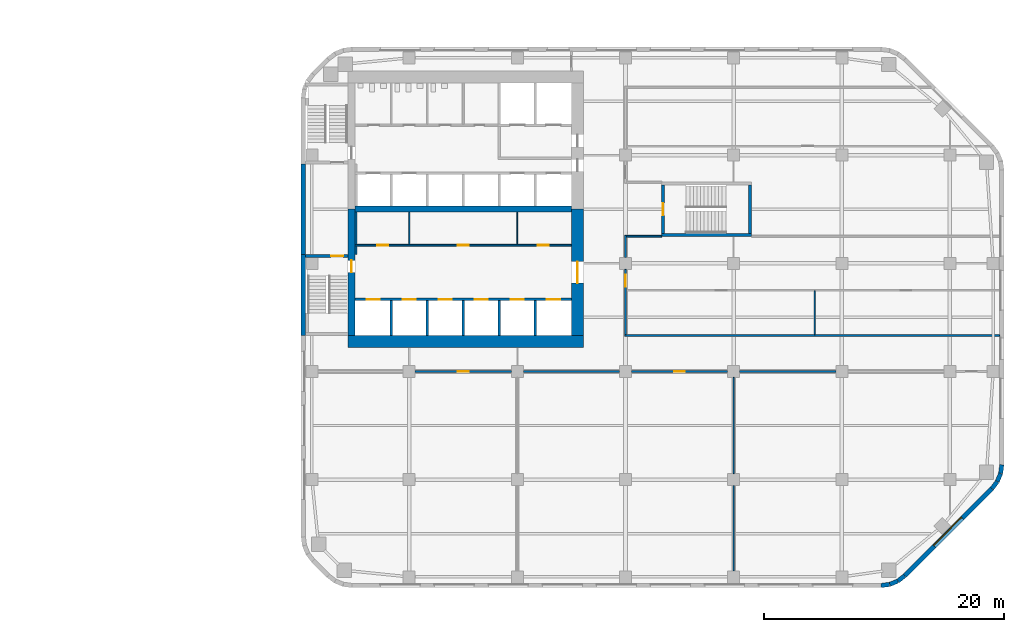
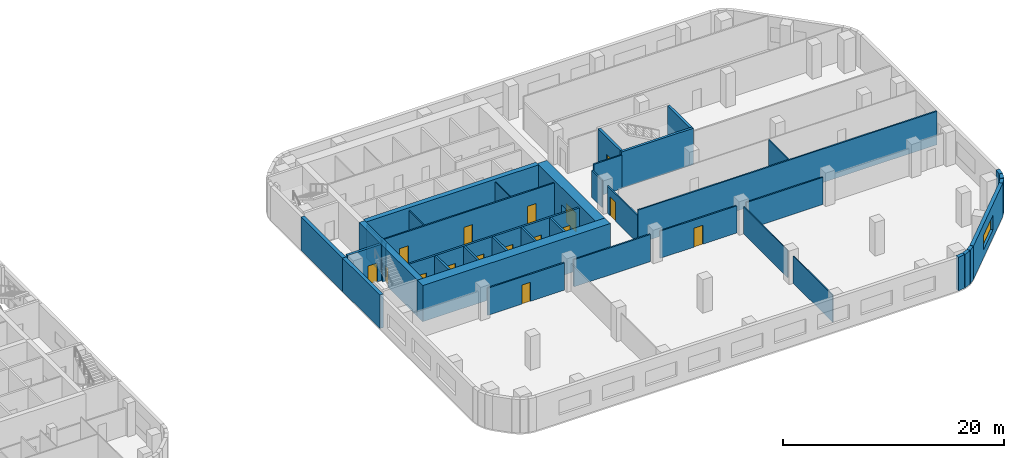
# One storey, part 9 of 15: 39 walls, 16 doors, 1 window, 17 openings.
"""IFC4 building model written with IfcOpenShell, lengths in metres."""

from ifc_helpers import new_model, si_unit, direction, frame, frame_2d, origin, place, context, subcontext, project, spatial, rectangle, extrude, material, layer, layer_set, type_object, element, fill, save


model = new_model("IFC4")

# Units and contexts
model_context = context("Model", 3, precision=1e-05, world=origin(), true_north=direction((0.0, 1.0)))
body_context = subcontext(model_context, "Body", "Model", "MODEL_VIEW")
ifc_project = project(units=[si_unit("LENGTHUNIT", "METRE"), si_unit("AREAUNIT", "SQUARE_METRE"), si_unit("VOLUMEUNIT", "CUBIC_METRE"), si_unit("PLANEANGLEUNIT", "RADIAN"), si_unit("MASSUNIT", "GRAM", prefix="KILO")], contexts=[model_context])

# Site, building, storey
site_placement = place(None, origin())
site = spatial("IfcSite", under=ifc_project, at=site_placement, CompositionType="ELEMENT")
building_placement = place(site_placement, origin())
building = spatial("IfcBuilding", under=site, at=building_placement, Name="Cinnabar Reach Civic Tower", CompositionType="ELEMENT")
storey_placement = place(building_placement, frame((0.0, 0.0, 91.0)))
storey = spatial("IfcBuildingStorey", under=building, at=storey_placement, Name="L21", CompositionType="ELEMENT", Elevation=91.0)

# Walls
ifc_material_1 = material(Name="Facing brick with insulated backing", Category="masonry")
ifc_layer_1 = layer(ifc_material_1, 0.36)
ifc_layer_set_1 = layer_set([ifc_layer_1], Name="Brick corner wall")
wall_type_1 = type_object("IfcWallType", Name="Brick corner wall", PredefinedType="STANDARD", material=ifc_layer_set_1)
for number, where, z_axis, x_axis, name in (
    (1, (48.2686, 0.183, 0.0), (0.0, 0.0, 1.0), (0.99144092581, 0.13055608231, 0.0), "Brick corner wall"),
    (2, (48.9973, 0.2819, 0.0), (0.0, 0.0, 1.0), (0.923871547278, 0.382702709855, 0.0), "Brick corner wall"),
):
    element("IfcWall", number, at=place(storey_placement, frame(where, z_axis=z_axis, x_axis=x_axis)), inside=storey, type_object=wall_type_1, Name=name, PredefinedType="STANDARD", context=body_context, shape_type="SweptSolid", body=[
        extrude(rectangle(XDim=0.7131, YDim=0.36, at=frame_2d((0.3565, 0.0))), origin(), (0.0, 0.0, 1.0), 3.7),
    ])
for number, where, z_axis, x_axis, name in (
    (3, (49.6755, 0.566, 0.0), (0.0, 0.0, 1.0), (0.793321924995, 0.608802368033, 0.0), "Brick corner wall"),
    (4, (57.4998, 8.2587, 0.0), (0.0, 0.0, 1.0), (0.608802368033, 0.793321924995, 0.0), "Brick corner wall"),
):
    element("IfcWall", number, at=place(storey_placement, frame(where, z_axis=z_axis, x_axis=x_axis)), inside=storey, type_object=wall_type_1, Name=name, PredefinedType="STANDARD", context=body_context, shape_type="SweptSolid", body=[
        extrude(rectangle(XDim=0.7132, YDim=0.36, at=frame_2d((0.3566, 0.0))), origin(), (0.0, 0.0, 1.0), 3.7),
    ])
for number, where, z_axis, x_axis, name in (
    (5, (57.9452, 8.8439, 0.0), (0.0, 0.0, 1.0), (0.382702709855, 0.923871547278, 0.0), "Brick corner wall"),
    (6, (58.2239, 9.5244, 0.0), (0.0, 0.0, 1.0), (0.13055608231, 0.99144092581, 0.0), "Brick corner wall"),
):
    element("IfcWall", number, at=place(storey_placement, frame(where, z_axis=z_axis, x_axis=x_axis)), inside=storey, type_object=wall_type_1, Name=name, PredefinedType="STANDARD", context=body_context, shape_type="SweptSolid", body=[
        extrude(rectangle(XDim=0.7131, YDim=0.36, at=frame_2d((0.3565, 0.0))), origin(), (0.0, 0.0, 1.0), 3.7),
    ])

# Wall, opening, window
ifc_layer_2 = layer(ifc_material_1, 0.36)
ifc_layer_set_2 = layer_set([ifc_layer_2], Name="Brick pier and spandrel wall")
wall_type_2 = type_object("IfcWallType", Name="Brick pier and spandrel wall", PredefinedType="STANDARD", material=ifc_layer_set_2)
wall_1_placement = place(storey_placement, frame((50.2514, 1.006, 0.0), z_axis=(0.0, 0.0, 1.0), x_axis=(0.707106781187, 0.707106781187, 0.0)))
wall_1 = element("IfcWall", 7, at=wall_1_placement, inside=storey, type_object=wall_type_2, Name="Brick facade wall", PredefinedType="STANDARD", context=body_context, shape_type="SweptSolid", body=[
    extrude(rectangle(XDim=10.2426, YDim=0.36, at=frame_2d((5.1213, 0.0))), origin(), (0.0, 0.0, 1.0), 3.7),
])
opening_1_placement = place(wall_1_placement, frame((3.4713, 0.0, 0.9)))
opening_1 = element("IfcOpeningElement", 8, at=opening_1_placement, cuts=wall_1, Name="Opening W1438", PredefinedType="OPENING", context=body_context, shape_type="SweptSolid", body=[
    extrude(rectangle(XDim=3.3, YDim=1.6, at=frame_2d((1.65, 0.8))), frame((0.0, 0.19, 0.0), z_axis=(0.0, -1.0, 0.0), x_axis=(1.0, 0.0, 0.0)), (0.0, 0.0, 1.0), 0.38),
])
ifc_material_2 = material(Name="Clear double glazing in aluminium frame", Category="aluminium")
window_type = type_object("IfcWindowType", Name="Deep-set window A", PartitioningType="SINGLE_PANEL", PredefinedType="WINDOW", material=ifc_material_2)
window_placement = place(opening_1_placement, origin())
window = element("IfcWindow", 9, at=window_placement, inside=storey, type_object=window_type, Name="Window southeast face", OverallHeight=1.6, OverallWidth=3.3, PartitioningType="SINGLE_PANEL", PredefinedType="WINDOW", context=body_context, shape_type="SweptSolid", body=[
    extrude(rectangle(XDim=3.3, YDim=1.6, at=frame_2d((1.65, 0.8))), frame((0.0, 0.13, 0.0), z_axis=(0.0, -1.0, 0.0), x_axis=(1.0, 0.0, 0.0)), (0.0, 0.0, 1.0), 0.06),
])
fill(opening_1, window)

# Walls
wall_2_placement = place(storey_placement, frame((0.18, 35.25, 0.0), z_axis=(0.0, 0.0, 1.0), x_axis=(0.0, -1.0, 0.0)))
element("IfcWall", 10, at=wall_2_placement, inside=storey, type_object=wall_type_2, Name="Brick facade wall", PredefinedType="STANDARD", context=body_context, shape_type="SweptSolid", body=[
    extrude(rectangle(XDim=7.5, YDim=0.36, at=frame_2d((3.75, 0.0))), origin(), (0.0, 0.0, 1.0), 3.7),
])
wall_3_placement = place(storey_placement, frame((0.18, 27.75, 0.0), z_axis=(0.0, 0.0, 1.0), x_axis=(0.0, -1.0, 0.0)))
element("IfcWall", 11, at=wall_3_placement, inside=storey, type_object=wall_type_2, Name="Brick facade wall", PredefinedType="STANDARD", context=body_context, shape_type="SweptSolid", body=[
    extrude(rectangle(XDim=6.75, YDim=0.36, at=frame_2d((3.375, 0.0))), origin(), (0.0, 0.0, 1.0), 3.7),
])
ifc_material_3 = material(Name="Concrete C70", Category="concrete")
ifc_layer_3 = layer(ifc_material_3, 1.0)
ifc_layer_set_3 = layer_set([ifc_layer_3], Name="Core wall 1000 EI 180")
wall_type_3 = type_object("IfcWallType", Name="Core wall 1000 EI 180", PredefinedType="SOLIDWALL", material=ifc_layer_set_3)
wall_4_placement = place(storey_placement, frame((3.9, 20.5, 0.0), z_axis=(0.0, 0.0, 1.0), x_axis=(1.0, 0.0, 0.0)))
element("IfcWall", 12, at=wall_4_placement, inside=storey, type_object=wall_type_3, Name="Core wall T1 L21 S", PredefinedType="SOLIDWALL", context=body_context, shape_type="SweptSolid", body=[
    extrude(rectangle(XDim=19.6, YDim=1.0, at=frame_2d((9.8, 0.0))), origin(), (0.0, 0.0, 1.0), 4.0),
])

# Wall, opening, door
wall_5_placement = place(storey_placement, frame((23.0, 21.0, 0.0), z_axis=(0.0, 0.0, 1.0), x_axis=(0.0, 1.0, 0.0)))
wall_5 = element("IfcWall", 13, at=wall_5_placement, inside=storey, type_object=wall_type_3, Name="Core wall T1 L21 E", PredefinedType="SOLIDWALL", context=body_context, shape_type="SweptSolid", body=[
    extrude(rectangle(XDim=10.5, YDim=1.0, at=frame_2d((5.25, 0.0))), origin(), (0.0, 0.0, 1.0), 4.0),
])
opening_2_placement = place(wall_5_placement, frame((4.35, 0.0, 0.0)))
opening_2 = element("IfcOpeningElement", 14, at=opening_2_placement, cuts=wall_5, Name="Opening D3857", PredefinedType="OPENING", context=body_context, shape_type="SweptSolid", body=[
    extrude(rectangle(XDim=1.8, YDim=2.1, at=frame_2d((0.9, 1.05))), frame((0.0, 0.51, 0.0), z_axis=(0.0, -1.0, 0.0), x_axis=(1.0, 0.0, 0.0)), (0.0, 0.0, 1.0), 1.02),
])
ifc_material_4 = material(Name="Timber door leaf in steel frame", Category="steel")
door_type_1 = type_object("IfcDoorType", Name="Double swing door 1800 x 2100 T1", OperationType="DOUBLE_DOOR_DOUBLE_SWING", PredefinedType="DOOR", material=ifc_material_4)
door_1_placement = place(opening_2_placement, origin())
door_1 = element("IfcDoor", 15, at=door_1_placement, inside=storey, type_object=door_type_1, Name="Door D3857", OperationType="DOUBLE_DOOR_DOUBLE_SWING", OverallHeight=2.1, OverallWidth=1.8, PredefinedType="DOOR", context=body_context, shape_type="SweptSolid", body=[
    extrude(rectangle(XDim=1.8, YDim=2.1, at=frame_2d((0.9, 1.05))), frame((0.0, 0.025, 0.0), z_axis=(0.0, -1.0, 0.0), x_axis=(1.0, 0.0, 0.0)), (0.0, 0.0, 1.0), 0.05),
])
fill(opening_2, door_1)

# Wall
ifc_material_5 = material(Name="Concrete C60", Category="concrete")
ifc_layer_4 = layer(ifc_material_5, 0.5)
ifc_layer_set_4 = layer_set([ifc_layer_4], Name="Core wall 500 EI 180")
wall_type_4 = type_object("IfcWallType", Name="Core wall 500 EI 180", PredefinedType="SOLIDWALL", material=ifc_layer_set_4)
wall_6_placement = place(storey_placement, frame((4.5, 31.5, 0.0), z_axis=(0.0, 0.0, 1.0), x_axis=(1.0, 0.0, 0.0)))
element("IfcWall", 16, at=wall_6_placement, inside=storey, type_object=wall_type_4, Name="Core spine wall T1 L21", PredefinedType="SOLIDWALL", context=body_context, shape_type="SweptSolid", body=[
    extrude(rectangle(XDim=18.0, YDim=0.5, at=frame_2d((9.0, 0.0))), origin(), (0.0, 0.0, 1.0), 4.0),
])

# Wall, opening, door
ifc_layer_5 = layer(ifc_material_3, 0.6)
ifc_layer_set_5 = layer_set([ifc_layer_5], Name="Core wall 600 EI 180")
wall_type_5 = type_object("IfcWallType", Name="Core wall 600 EI 180", PredefinedType="SOLIDWALL", material=ifc_layer_set_5)
wall_7_placement = place(storey_placement, frame((4.2, 31.5, 0.0), z_axis=(0.0, 0.0, 1.0), x_axis=(0.0, -1.0, 0.0)))
wall_7 = element("IfcWall", 17, at=wall_7_placement, inside=storey, type_object=wall_type_5, Name="Core wall T1 L21 W2", PredefinedType="SOLIDWALL", context=body_context, shape_type="SweptSolid", body=[
    extrude(rectangle(XDim=10.5, YDim=0.6, at=frame_2d((5.25, 0.0))), origin(), (0.0, 0.0, 1.0), 4.0),
])
opening_3_placement = place(wall_7_placement, frame((4.25, 0.0, 0.0)))
opening_3 = element("IfcOpeningElement", 18, at=opening_3_placement, cuts=wall_7, Name="Opening D3841", PredefinedType="OPENING", context=body_context, shape_type="SweptSolid", body=[
    extrude(rectangle(XDim=1.0, YDim=2.1, at=frame_2d((0.5, 1.05))), frame((0.0, 0.31, 0.0), z_axis=(0.0, -1.0, 0.0), x_axis=(1.0, 0.0, 0.0)), (0.0, 0.0, 1.0), 0.62),
])
door_type_2 = type_object("IfcDoorType", Name="Stair door 1000 x 2100 T1", OperationType="SINGLE_SWING_LEFT", PredefinedType="DOOR", material=ifc_material_4)
door_2_placement = place(opening_3_placement, frame((1.0, 0.0, 0.0), z_axis=(0.0, 0.0, 1.0), x_axis=(-1.0, 0.0, 0.0)))
door_2 = element("IfcDoor", 19, at=door_2_placement, inside=storey, type_object=door_type_2, Name="Door D3841", OperationType="SINGLE_SWING_RIGHT", OverallHeight=2.1, OverallWidth=1.0, PredefinedType="DOOR", context=body_context, shape_type="SweptSolid", body=[
    extrude(rectangle(XDim=1.0, YDim=2.1, at=frame_2d((0.5, 1.05))), frame((0.0, 0.025, 0.0), z_axis=(0.0, -1.0, 0.0), x_axis=(1.0, 0.0, 0.0)), (0.0, 0.0, 1.0), 0.05),
])
fill(opening_3, door_2)

# Wall
ifc_material_6 = material(Name="Gypsum board on steel studs, double layer", Category="steel")
ifc_layer_6 = layer(ifc_material_6, 0.15)
ifc_layer_set_6 = layer_set([ifc_layer_6], Name="Corridor wall 150 T1")
wall_type_6 = type_object("IfcWallType", Name="Corridor wall 150 T1", PredefinedType="PARTITIONING", material=ifc_layer_set_6)
wall_8_placement = place(storey_placement, frame((36.5, 18.0, 0.0), z_axis=(0.0, 0.0, 1.0), x_axis=(1.0, 0.0, 0.0)))
element("IfcWall", 20, at=wall_8_placement, inside=storey, type_object=wall_type_6, Name="Corridor wall 21", PredefinedType="PARTITIONING", context=body_context, shape_type="SweptSolid", body=[
    extrude(rectangle(XDim=8.0, YDim=0.15, at=frame_2d((4.0, 0.0))), origin(), (0.0, 0.0, 1.0), 3.0),
])

# Wall, opening, door
wall_9_placement = place(storey_placement, frame((27.5, 18.0, 0.0), z_axis=(0.0, 0.0, 1.0), x_axis=(1.0, 0.0, 0.0)))
wall_9 = element("IfcWall", 21, at=wall_9_placement, inside=storey, type_object=wall_type_6, Name="Corridor wall 22", PredefinedType="PARTITIONING", context=body_context, shape_type="SweptSolid", body=[
    extrude(rectangle(XDim=8.0, YDim=0.15, at=frame_2d((4.0, 0.0))), origin(), (0.0, 0.0, 1.0), 3.0),
])
opening_4_placement = place(wall_9_placement, frame((3.55, 0.0, 0.0)))
opening_4 = element("IfcOpeningElement", 22, at=opening_4_placement, cuts=wall_9, Name="Opening D3874", PredefinedType="OPENING", context=body_context, shape_type="SweptSolid", body=[
    extrude(rectangle(XDim=0.9, YDim=2.1, at=frame_2d((0.45, 1.05))), frame((0.0, 0.085, 0.0), z_axis=(0.0, -1.0, 0.0), x_axis=(1.0, 0.0, 0.0)), (0.0, 0.0, 1.0), 0.17),
])
door_type_3 = type_object("IfcDoorType", Name="Single swing door 900 x 2100 corridor T1", OperationType="SINGLE_SWING_LEFT", PredefinedType="DOOR", material=ifc_material_4)
door_3_placement = place(opening_4_placement, frame((0.9, 0.0, 0.0), z_axis=(0.0, 0.0, 1.0), x_axis=(-1.0, 0.0, 0.0)))
door_3 = element("IfcDoor", 23, at=door_3_placement, inside=storey, type_object=door_type_3, Name="Door D3874", OperationType="SINGLE_SWING_RIGHT", OverallHeight=2.1, OverallWidth=0.9, PredefinedType="DOOR", context=body_context, shape_type="SweptSolid", body=[
    extrude(rectangle(XDim=0.9, YDim=2.1, at=frame_2d((0.45, 1.05))), frame((0.0, 0.025, 0.0), z_axis=(0.0, -1.0, 0.0), x_axis=(1.0, 0.0, 0.0)), (0.0, 0.0, 1.0), 0.05),
])
fill(opening_4, door_3)

# Wall
wall_10_placement = place(storey_placement, frame((18.5, 18.0, 0.0), z_axis=(0.0, 0.0, 1.0), x_axis=(1.0, 0.0, 0.0)))
element("IfcWall", 24, at=wall_10_placement, inside=storey, type_object=wall_type_6, Name="Corridor wall 23", PredefinedType="PARTITIONING", context=body_context, shape_type="SweptSolid", body=[
    extrude(rectangle(XDim=8.0, YDim=0.15, at=frame_2d((4.0, 0.0))), origin(), (0.0, 0.0, 1.0), 3.0),
])

# Wall, opening, door
wall_11_placement = place(storey_placement, frame((9.5, 18.0, 0.0), z_axis=(0.0, 0.0, 1.0), x_axis=(1.0, 0.0, 0.0)))
wall_11 = element("IfcWall", 25, at=wall_11_placement, inside=storey, type_object=wall_type_6, Name="Corridor wall 24", PredefinedType="PARTITIONING", context=body_context, shape_type="SweptSolid", body=[
    extrude(rectangle(XDim=8.0, YDim=0.15, at=frame_2d((4.0, 0.0))), origin(), (0.0, 0.0, 1.0), 3.0),
])
opening_5_placement = place(wall_11_placement, frame((3.55, 0.0, 0.0)))
opening_5 = element("IfcOpeningElement", 26, at=opening_5_placement, cuts=wall_11, Name="Opening D3873", PredefinedType="OPENING", context=body_context, shape_type="SweptSolid", body=[
    extrude(rectangle(XDim=0.9, YDim=2.1, at=frame_2d((0.45, 1.05))), frame((0.0, 0.085, 0.0), z_axis=(0.0, -1.0, 0.0), x_axis=(1.0, 0.0, 0.0)), (0.0, 0.0, 1.0), 0.17),
])
door_4_placement = place(opening_5_placement, frame((0.9, 0.0, 0.0), z_axis=(0.0, 0.0, 1.0), x_axis=(-1.0, 0.0, 0.0)))
door_4 = element("IfcDoor", 27, at=door_4_placement, inside=storey, type_object=door_type_3, Name="Door D3873", OperationType="SINGLE_SWING_LEFT", OverallHeight=2.1, OverallWidth=0.9, PredefinedType="DOOR", context=body_context, shape_type="SweptSolid", body=[
    extrude(rectangle(XDim=0.9, YDim=2.1, at=frame_2d((0.45, 1.05))), frame((0.0, 0.025, 0.0), z_axis=(0.0, -1.0, 0.0), x_axis=(1.0, 0.0, 0.0)), (0.0, 0.0, 1.0), 0.05),
])
fill(opening_5, door_4)

# Wall
wall_12_placement = place(storey_placement, frame((26.925, 21.0, 0.0), z_axis=(0.0, 0.0, 1.0), x_axis=(1.0, 0.0, 0.0)))
element("IfcWall", 28, at=wall_12_placement, inside=storey, type_object=wall_type_6, Name="Corridor wall 26", PredefinedType="PARTITIONING", context=body_context, shape_type="SweptSolid", body=[
    extrude(rectangle(XDim=31.215, YDim=0.15, at=frame_2d((15.6075, 0.0))), origin(), (0.0, 0.0, 1.0), 3.7),
])

# Wall, openings, doors
wall_13_placement = place(storey_placement, frame((4.5, 28.5, 0.0), z_axis=(0.0, 0.0, 1.0), x_axis=(1.0, 0.0, 0.0)))
wall_13 = element("IfcWall", 29, at=wall_13_placement, inside=storey, type_object=wall_type_6, Name="Corridor wall 28", PredefinedType="PARTITIONING", context=body_context, shape_type="SweptSolid", body=[
    extrude(rectangle(XDim=18.0, YDim=0.15, at=frame_2d((9.0, 0.0))), origin(), (0.0, 0.0, 1.0), 3.7),
])
opening_6_placement = place(wall_13_placement, frame((1.85, 0.0, 0.0)))
opening_6 = element("IfcOpeningElement", 30, at=opening_6_placement, cuts=wall_13, Name="Opening D3861", PredefinedType="OPENING", context=body_context, shape_type="SweptSolid", body=[
    extrude(rectangle(XDim=0.9, YDim=2.1, at=frame_2d((0.45, 1.05))), frame((0.0, 0.085, 0.0), z_axis=(0.0, -1.0, 0.0), x_axis=(1.0, 0.0, 0.0)), (0.0, 0.0, 1.0), 0.17),
])
opening_7_placement = place(wall_13_placement, frame((8.55, 0.0, 0.0)))
opening_7 = element("IfcOpeningElement", 31, at=opening_7_placement, cuts=wall_13, Name="Opening D3862", PredefinedType="OPENING", context=body_context, shape_type="SweptSolid", body=[
    extrude(rectangle(XDim=0.9, YDim=2.1, at=frame_2d((0.45, 1.05))), frame((0.0, 0.085, 0.0), z_axis=(0.0, -1.0, 0.0), x_axis=(1.0, 0.0, 0.0)), (0.0, 0.0, 1.0), 0.17),
])
opening_8_placement = place(wall_13_placement, frame((15.2, 0.0, 0.0)))
opening_8 = element("IfcOpeningElement", 32, at=opening_8_placement, cuts=wall_13, Name="Opening D3863", PredefinedType="OPENING", context=body_context, shape_type="SweptSolid", body=[
    extrude(rectangle(XDim=0.9, YDim=2.1, at=frame_2d((0.45, 1.05))), frame((0.0, 0.085, 0.0), z_axis=(0.0, -1.0, 0.0), x_axis=(1.0, 0.0, 0.0)), (0.0, 0.0, 1.0), 0.17),
])
door_5_placement = place(opening_6_placement, origin())
door_5 = element("IfcDoor", 33, at=door_5_placement, inside=storey, type_object=door_type_3, Name="Door D3861", OperationType="SINGLE_SWING_RIGHT", OverallHeight=2.1, OverallWidth=0.9, PredefinedType="DOOR", context=body_context, shape_type="SweptSolid", body=[
    extrude(rectangle(XDim=0.9, YDim=2.1, at=frame_2d((0.45, 1.05))), frame((0.0, 0.025, 0.0), z_axis=(0.0, -1.0, 0.0), x_axis=(1.0, 0.0, 0.0)), (0.0, 0.0, 1.0), 0.05),
])
fill(opening_6, door_5)
door_6_placement = place(opening_7_placement, origin())
door_6 = element("IfcDoor", 34, at=door_6_placement, inside=storey, type_object=door_type_3, Name="Door D3862", OperationType="SINGLE_SWING_RIGHT", OverallHeight=2.1, OverallWidth=0.9, PredefinedType="DOOR", context=body_context, shape_type="SweptSolid", body=[
    extrude(rectangle(XDim=0.9, YDim=2.1, at=frame_2d((0.45, 1.05))), frame((0.0, 0.025, 0.0), z_axis=(0.0, -1.0, 0.0), x_axis=(1.0, 0.0, 0.0)), (0.0, 0.0, 1.0), 0.05),
])
fill(opening_7, door_6)
door_7_placement = place(opening_8_placement, origin())
door_7 = element("IfcDoor", 35, at=door_7_placement, inside=storey, type_object=door_type_3, Name="Door D3863", OperationType="SINGLE_SWING_LEFT", OverallHeight=2.1, OverallWidth=0.9, PredefinedType="DOOR", context=body_context, shape_type="SweptSolid", body=[
    extrude(rectangle(XDim=0.9, YDim=2.1, at=frame_2d((0.45, 1.05))), frame((0.0, 0.025, 0.0), z_axis=(0.0, -1.0, 0.0), x_axis=(1.0, 0.0, 0.0)), (0.0, 0.0, 1.0), 0.05),
])
fill(opening_8, door_7)

# Wall, opening, door
wall_14_placement = place(storey_placement, frame((27.0, 21.075, 0.0), z_axis=(0.0, 0.0, 1.0), x_axis=(0.0, 1.0, 0.0)))
wall_14 = element("IfcWall", 36, at=wall_14_placement, inside=storey, type_object=wall_type_6, Name="Corridor wall 30", PredefinedType="PARTITIONING", context=body_context, shape_type="SweptSolid", body=[
    extrude(rectangle(XDim=5.425, YDim=0.15, at=frame_2d((2.7125, 0.0))), origin(), (0.0, 0.0, 1.0), 3.008),
])
opening_9_placement = place(wall_14_placement, frame((3.975, 0.0, 0.0)))
opening_9 = element("IfcOpeningElement", 37, at=opening_9_placement, cuts=wall_14, Name="Opening D3870", PredefinedType="OPENING", context=body_context, shape_type="SweptSolid", body=[
    extrude(rectangle(XDim=1.0, YDim=2.1, at=frame_2d((0.5, 1.05))), frame((0.0, 0.085, 0.0), z_axis=(0.0, -1.0, 0.0), x_axis=(1.0, 0.0, 0.0)), (0.0, 0.0, 1.0), 0.17),
])
door_type_4 = type_object("IfcDoorType", Name="Tenancy entrance door 1000 x 2100 T1", OperationType="SINGLE_SWING_LEFT", PredefinedType="DOOR", material=ifc_material_4)
door_8_placement = place(opening_9_placement, frame((1.0, 0.0, 0.0), z_axis=(0.0, 0.0, 1.0), x_axis=(-1.0, 0.0, 0.0)))
door_8 = element("IfcDoor", 38, at=door_8_placement, inside=storey, type_object=door_type_4, Name="Door D3870", OperationType="SINGLE_SWING_RIGHT", OverallHeight=2.1, OverallWidth=1.0, PredefinedType="DOOR", context=body_context, shape_type="SweptSolid", body=[
    extrude(rectangle(XDim=1.0, YDim=2.1, at=frame_2d((0.5, 1.05))), frame((0.0, 0.025, 0.0), z_axis=(0.0, -1.0, 0.0), x_axis=(1.0, 0.0, 0.0)), (0.0, 0.0, 1.0), 0.05),
])
fill(opening_9, door_8)

# Walls
wall_15_placement = place(storey_placement, frame((27.0, 27.5, 0.0), z_axis=(0.0, 0.0, 1.0), x_axis=(0.0, 1.0, 0.0)))
element("IfcWall", 39, at=wall_15_placement, inside=storey, type_object=wall_type_6, Name="Corridor wall 31", PredefinedType="PARTITIONING", context=body_context, shape_type="SweptSolid", body=[
    extrude(rectangle(XDim=1.825, YDim=0.15, at=frame_2d((0.9125, 0.0))), origin(), (0.0, 0.0, 1.0), 3.008),
])
wall_16_placement = place(storey_placement, frame((4.575, 27.75, 0.0), z_axis=(0.0, 0.0, 1.0), x_axis=(0.0, 1.0, 0.0)))
element("IfcWall", 40, at=wall_16_placement, inside=storey, type_object=wall_type_6, Name="Corridor wall 34", PredefinedType="PARTITIONING", context=body_context, shape_type="SweptSolid", body=[
    extrude(rectangle(XDim=0.675, YDim=0.15, at=frame_2d((0.3375, 0.0))), origin(), (0.0, 0.0, 1.0), 3.7),
])
wall_17_placement = place(storey_placement, frame((4.575, 28.575, 0.0), z_axis=(0.0, 0.0, 1.0), x_axis=(0.0, 1.0, 0.0)))
element("IfcWall", 41, at=wall_17_placement, inside=storey, type_object=wall_type_6, Name="Corridor wall 35", PredefinedType="PARTITIONING", context=body_context, shape_type="SweptSolid", body=[
    extrude(rectangle(XDim=2.675, YDim=0.15, at=frame_2d((1.3375, 0.0))), origin(), (0.0, 0.0, 1.0), 3.7),
])
wall_18_placement = place(storey_placement, frame((27.075, 29.25, 0.0), z_axis=(0.0, 0.0, 1.0), x_axis=(1.0, 0.0, 0.0)))
element("IfcWall", 42, at=wall_18_placement, inside=storey, type_object=wall_type_6, Name="Corridor wall 36", PredefinedType="PARTITIONING", context=body_context, shape_type="SweptSolid", body=[
    extrude(rectangle(XDim=2.925, YDim=0.15, at=frame_2d((1.4625, 0.0))), origin(), (0.0, 0.0, 1.0), 3.7),
])

# Wall, openings, doors
ifc_material_7 = material(Name="Blockwork", Category="masonry")
ifc_layer_7 = layer(ifc_material_7, 0.2)
ifc_layer_set_7 = layer_set([ifc_layer_7], Name="Lift shaft wall 200 T1")
wall_type_7 = type_object("IfcWallType", Name="Lift shaft wall 200 T1", PredefinedType="PARTITIONING", material=ifc_layer_set_7)
wall_19_placement = place(storey_placement, frame((4.5, 24.0, 0.0), z_axis=(0.0, 0.0, 1.0), x_axis=(1.0, 0.0, 0.0)))
wall_19 = element("IfcWall", 43, at=wall_19_placement, inside=storey, type_object=wall_type_7, Name="Lift shaft wall 4", PredefinedType="PARTITIONING", context=body_context, shape_type="SweptSolid", body=[
    extrude(rectangle(XDim=18.0, YDim=0.2, at=frame_2d((9.0, 0.0))), origin(), (0.0, 0.0, 1.0), 3.7),
])
opening_10_placement = place(wall_19_placement, frame((0.95, 0.0, 0.0)))
opening_10 = element("IfcOpeningElement", 44, at=opening_10_placement, cuts=wall_19, Name="Opening D3845", PredefinedType="OPENING", context=body_context, shape_type="SweptSolid", body=[
    extrude(rectangle(XDim=1.1, YDim=2.1, at=frame_2d((0.55, 1.05))), frame((0.0, 0.11, 0.0), z_axis=(0.0, -1.0, 0.0), x_axis=(1.0, 0.0, 0.0)), (0.0, 0.0, 1.0), 0.22),
])
opening_11_placement = place(wall_19_placement, frame((3.95, 0.0, 0.0)))
opening_11 = element("IfcOpeningElement", 45, at=opening_11_placement, cuts=wall_19, Name="Opening D3846", PredefinedType="OPENING", context=body_context, shape_type="SweptSolid", body=[
    extrude(rectangle(XDim=1.1, YDim=2.1, at=frame_2d((0.55, 1.05))), frame((0.0, 0.11, 0.0), z_axis=(0.0, -1.0, 0.0), x_axis=(1.0, 0.0, 0.0)), (0.0, 0.0, 1.0), 0.22),
])
opening_12_placement = place(wall_19_placement, frame((6.95, 0.0, 0.0)))
opening_12 = element("IfcOpeningElement", 46, at=opening_12_placement, cuts=wall_19, Name="Opening D3847", PredefinedType="OPENING", context=body_context, shape_type="SweptSolid", body=[
    extrude(rectangle(XDim=1.1, YDim=2.1, at=frame_2d((0.55, 1.05))), frame((0.0, 0.11, 0.0), z_axis=(0.0, -1.0, 0.0), x_axis=(1.0, 0.0, 0.0)), (0.0, 0.0, 1.0), 0.22),
])
opening_13_placement = place(wall_19_placement, frame((9.95, 0.0, 0.0)))
opening_13 = element("IfcOpeningElement", 47, at=opening_13_placement, cuts=wall_19, Name="Opening D3848", PredefinedType="OPENING", context=body_context, shape_type="SweptSolid", body=[
    extrude(rectangle(XDim=1.1, YDim=2.1, at=frame_2d((0.55, 1.05))), frame((0.0, 0.11, 0.0), z_axis=(0.0, -1.0, 0.0), x_axis=(1.0, 0.0, 0.0)), (0.0, 0.0, 1.0), 0.22),
])
opening_14_placement = place(wall_19_placement, frame((12.95, 0.0, 0.0)))
opening_14 = element("IfcOpeningElement", 48, at=opening_14_placement, cuts=wall_19, Name="Opening D3849", PredefinedType="OPENING", context=body_context, shape_type="SweptSolid", body=[
    extrude(rectangle(XDim=1.1, YDim=2.1, at=frame_2d((0.55, 1.05))), frame((0.0, 0.11, 0.0), z_axis=(0.0, -1.0, 0.0), x_axis=(1.0, 0.0, 0.0)), (0.0, 0.0, 1.0), 0.22),
])
opening_15_placement = place(wall_19_placement, frame((15.95, 0.0, 0.0)))
opening_15 = element("IfcOpeningElement", 49, at=opening_15_placement, cuts=wall_19, Name="Opening D3850", PredefinedType="OPENING", context=body_context, shape_type="SweptSolid", body=[
    extrude(rectangle(XDim=1.1, YDim=2.1, at=frame_2d((0.55, 1.05))), frame((0.0, 0.11, 0.0), z_axis=(0.0, -1.0, 0.0), x_axis=(1.0, 0.0, 0.0)), (0.0, 0.0, 1.0), 0.22),
])
ifc_material_8 = material(Name="Stainless steel sliding door", Category="steel")
door_type_5 = type_object("IfcDoorType", Name="Lift landing door 1100 x 2100 T1", OperationType="SLIDING_TO_LEFT", PredefinedType="DOOR", material=ifc_material_8)
door_9_placement = place(opening_10_placement, origin())
door_9 = element("IfcDoor", 50, at=door_9_placement, inside=storey, type_object=door_type_5, Name="Lift landing door LR1 L21", OperationType="SLIDING_TO_LEFT", OverallHeight=2.1, OverallWidth=1.1, PredefinedType="DOOR", context=body_context, shape_type="SweptSolid", body=[
    extrude(rectangle(XDim=1.1, YDim=2.1, at=frame_2d((0.55, 1.05))), frame((0.0, 0.025, 0.0), z_axis=(0.0, -1.0, 0.0), x_axis=(1.0, 0.0, 0.0)), (0.0, 0.0, 1.0), 0.05),
])
fill(opening_10, door_9)
door_10_placement = place(opening_11_placement, origin())
door_10 = element("IfcDoor", 51, at=door_10_placement, inside=storey, type_object=door_type_5, Name="Lift landing door LR2 L21", OperationType="SLIDING_TO_LEFT", OverallHeight=2.1, OverallWidth=1.1, PredefinedType="DOOR", context=body_context, shape_type="SweptSolid", body=[
    extrude(rectangle(XDim=1.1, YDim=2.1, at=frame_2d((0.55, 1.05))), frame((0.0, 0.025, 0.0), z_axis=(0.0, -1.0, 0.0), x_axis=(1.0, 0.0, 0.0)), (0.0, 0.0, 1.0), 0.05),
])
fill(opening_11, door_10)
door_11_placement = place(opening_12_placement, origin())
door_11 = element("IfcDoor", 52, at=door_11_placement, inside=storey, type_object=door_type_5, Name="Lift landing door LR3 L21", OperationType="SLIDING_TO_LEFT", OverallHeight=2.1, OverallWidth=1.1, PredefinedType="DOOR", context=body_context, shape_type="SweptSolid", body=[
    extrude(rectangle(XDim=1.1, YDim=2.1, at=frame_2d((0.55, 1.05))), frame((0.0, 0.025, 0.0), z_axis=(0.0, -1.0, 0.0), x_axis=(1.0, 0.0, 0.0)), (0.0, 0.0, 1.0), 0.05),
])
fill(opening_12, door_11)
door_12_placement = place(opening_13_placement, origin())
door_12 = element("IfcDoor", 53, at=door_12_placement, inside=storey, type_object=door_type_5, Name="Lift landing door LR4 L21", OperationType="SLIDING_TO_LEFT", OverallHeight=2.1, OverallWidth=1.1, PredefinedType="DOOR", context=body_context, shape_type="SweptSolid", body=[
    extrude(rectangle(XDim=1.1, YDim=2.1, at=frame_2d((0.55, 1.05))), frame((0.0, 0.025, 0.0), z_axis=(0.0, -1.0, 0.0), x_axis=(1.0, 0.0, 0.0)), (0.0, 0.0, 1.0), 0.05),
])
fill(opening_13, door_12)
door_13_placement = place(opening_14_placement, origin())
door_13 = element("IfcDoor", 54, at=door_13_placement, inside=storey, type_object=door_type_5, Name="Lift landing door LR5 L21", OperationType="SLIDING_TO_LEFT", OverallHeight=2.1, OverallWidth=1.1, PredefinedType="DOOR", context=body_context, shape_type="SweptSolid", body=[
    extrude(rectangle(XDim=1.1, YDim=2.1, at=frame_2d((0.55, 1.05))), frame((0.0, 0.025, 0.0), z_axis=(0.0, -1.0, 0.0), x_axis=(1.0, 0.0, 0.0)), (0.0, 0.0, 1.0), 0.05),
])
fill(opening_14, door_13)
door_14_placement = place(opening_15_placement, origin())
door_14 = element("IfcDoor", 55, at=door_14_placement, inside=storey, type_object=door_type_5, Name="Lift landing door LR6 L21", OperationType="SLIDING_TO_LEFT", OverallHeight=2.1, OverallWidth=1.1, PredefinedType="DOOR", context=body_context, shape_type="SweptSolid", body=[
    extrude(rectangle(XDim=1.1, YDim=2.1, at=frame_2d((0.55, 1.05))), frame((0.0, 0.025, 0.0), z_axis=(0.0, -1.0, 0.0), x_axis=(1.0, 0.0, 0.0)), (0.0, 0.0, 1.0), 0.05),
])
fill(opening_15, door_14)

# Walls
for number, where, z_axis, x_axis, name in (
    (56, (7.5, 21.0, 0.0), (0.0, 0.0, 1.0), (0.0, 1.0, 0.0), "Lift shaft wall 9"),
    (57, (10.5, 21.0, 0.0), (0.0, 0.0, 1.0), (0.0, 1.0, 0.0), "Lift shaft wall 11"),
    (58, (13.5, 21.0, 0.0), (0.0, 0.0, 1.0), (0.0, 1.0, 0.0), "Lift shaft wall 13"),
    (59, (16.5, 21.0, 0.0), (0.0, 0.0, 1.0), (0.0, 1.0, 0.0), "Lift shaft wall 15"),
    (60, (19.5, 21.0, 0.0), (0.0, 0.0, 1.0), (0.0, 1.0, 0.0), "Lift shaft wall 17"),
):
    element("IfcWall", number, at=place(storey_placement, frame(where, z_axis=z_axis, x_axis=x_axis)), inside=storey, type_object=wall_type_7, Name=name, PredefinedType="PARTITIONING", context=body_context, shape_type="SweptSolid", body=[
        extrude(rectangle(XDim=2.9, YDim=0.2, at=frame_2d((1.45, 0.0))), origin(), (0.0, 0.0, 1.0), 3.7),
    ])
ifc_material_9 = material(Name="Gypsum board on steel studs", Category="steel")
ifc_layer_8 = layer(ifc_material_9, 0.1)
ifc_layer_set_8 = layer_set([ifc_layer_8], Name="Partition wall 100 T1")
wall_type_8 = type_object("IfcWallType", Name="Partition wall 100 T1", PredefinedType="PARTITIONING", material=ifc_layer_set_8)
wall_20_placement = place(storey_placement, frame((36.0, 1.4, 0.0), z_axis=(0.0, 0.0, 1.0), x_axis=(0.0, 1.0, 0.0)))
element("IfcWall", 61, at=wall_20_placement, inside=storey, type_object=wall_type_8, Name="Partition wall 46", PredefinedType="PARTITIONING", context=body_context, shape_type="SweptSolid", body=[
    extrude(rectangle(XDim=7.1, YDim=0.1, at=frame_2d((3.55, 0.0))), origin(), (0.0, 0.0, 1.0), 3.008),
])
wall_21_placement = place(storey_placement, frame((36.0, 9.5, 0.0), z_axis=(0.0, 0.0, 1.0), x_axis=(0.0, 1.0, 0.0)))
element("IfcWall", 62, at=wall_21_placement, inside=storey, type_object=wall_type_8, Name="Partition wall 47", PredefinedType="PARTITIONING", context=body_context, shape_type="SweptSolid", body=[
    extrude(rectangle(XDim=8.0, YDim=0.1, at=frame_2d((4.0, 0.0))), origin(), (0.0, 0.0, 1.0), 3.008),
])
wall_22_placement = place(storey_placement, frame((42.75, 21.075, 0.0), z_axis=(0.0, 0.0, 1.0), x_axis=(0.0, 1.0, 0.0)))
element("IfcWall", 63, at=wall_22_placement, inside=storey, type_object=wall_type_8, Name="Partition wall 48", PredefinedType="PARTITIONING", context=body_context, shape_type="SweptSolid", body=[
    extrude(rectangle(XDim=3.625, YDim=0.1, at=frame_2d((1.8125, 0.0))), origin(), (0.0, 0.0, 1.0), 3.7),
])
for number, where, z_axis, x_axis, name in (
    (64, (9.0, 28.575, 0.0), (0.0, 0.0, 1.0), (0.0, 1.0, 0.0), "Partition wall 51"),
    (65, (18.0, 28.575, 0.0), (0.0, 0.0, 1.0), (0.0, 1.0, 0.0), "Partition wall 52"),
):
    element("IfcWall", number, at=place(storey_placement, frame(where, z_axis=z_axis, x_axis=x_axis)), inside=storey, type_object=wall_type_8, Name=name, PredefinedType="PARTITIONING", context=body_context, shape_type="SweptSolid", body=[
        extrude(rectangle(XDim=2.675, YDim=0.1, at=frame_2d((1.3375, 0.0))), origin(), (0.0, 0.0, 1.0), 3.7),
    ])

# Wall, opening, door
ifc_layer_9 = layer(ifc_material_5, 0.25)
ifc_layer_set_9 = layer_set([ifc_layer_9], Name="Stair shaft wall 250 EI 120")
wall_type_9 = type_object("IfcWallType", Name="Stair shaft wall 250 EI 120", PredefinedType="SOLIDWALL", material=ifc_layer_set_9)
wall_23_placement = place(storey_placement, frame((3.9, 27.625, 0.0), z_axis=(0.0, 0.0, 1.0), x_axis=(-1.0, 0.0, 0.0)))
wall_23 = element("IfcWall", 66, at=wall_23_placement, inside=storey, type_object=wall_type_9, Name="Stair shaft wall T1-S1 L21", PredefinedType="SOLIDWALL", context=body_context, shape_type="SweptSolid", body=[
    extrude(rectangle(XDim=3.54, YDim=0.25, at=frame_2d((1.77, 0.0))), origin(), (0.0, 0.0, 1.0), 4.0),
])
opening_16_placement = place(wall_23_placement, frame((0.4, 0.0, 0.0)))
opening_16 = element("IfcOpeningElement", 67, at=opening_16_placement, cuts=wall_23, Name="Opening D3842", PredefinedType="OPENING", context=body_context, shape_type="SweptSolid", body=[
    extrude(rectangle(XDim=1.0, YDim=2.1, at=frame_2d((0.5, 1.05))), frame((0.0, 0.135, 0.0), z_axis=(0.0, -1.0, 0.0), x_axis=(1.0, 0.0, 0.0)), (0.0, 0.0, 1.0), 0.27),
])
door_15_placement = place(opening_16_placement, origin())
door_15 = element("IfcDoor", 68, at=door_15_placement, inside=storey, type_object=door_type_2, Name="Door D3842", OperationType="SINGLE_SWING_LEFT", OverallHeight=2.1, OverallWidth=1.0, PredefinedType="DOOR", context=body_context, shape_type="SweptSolid", body=[
    extrude(rectangle(XDim=1.0, YDim=2.1, at=frame_2d((0.5, 1.05))), frame((0.0, 0.025, 0.0), z_axis=(0.0, -1.0, 0.0), x_axis=(1.0, 0.0, 0.0)), (0.0, 0.0, 1.0), 0.05),
])
fill(opening_16, door_15)

# Walls
wall_24_placement = place(storey_placement, frame((30.0, 29.375, 0.0), z_axis=(0.0, 0.0, 1.0), x_axis=(1.0, 0.0, 0.0)))
element("IfcWall", 69, at=wall_24_placement, inside=storey, type_object=wall_type_9, Name="Stair shaft wall T1-S3 L21", PredefinedType="SOLIDWALL", context=body_context, shape_type="SweptSolid", body=[
    extrude(rectangle(XDim=7.5, YDim=0.25, at=frame_2d((3.75, 0.0))), origin(), (0.0, 0.0, 1.0), 4.0),
])
wall_25_placement = place(storey_placement, frame((37.375, 29.5, 0.0), z_axis=(0.0, 0.0, 1.0), x_axis=(0.0, 1.0, 0.0)))
element("IfcWall", 70, at=wall_25_placement, inside=storey, type_object=wall_type_9, Name="Stair shaft wall T1-S3 L21", PredefinedType="SOLIDWALL", context=body_context, shape_type="SweptSolid", body=[
    extrude(rectangle(XDim=4.0, YDim=0.25, at=frame_2d((2.0, 0.0))), origin(), (0.0, 0.0, 1.0), 4.0),
])

# Wall, opening, door
wall_26_placement = place(storey_placement, frame((30.125, 33.5, 0.0), z_axis=(0.0, 0.0, 1.0), x_axis=(0.0, -1.0, 0.0)))
wall_26 = element("IfcWall", 71, at=wall_26_placement, inside=storey, type_object=wall_type_9, Name="Stair shaft wall T1-S3 L21", PredefinedType="SOLIDWALL", context=body_context, shape_type="SweptSolid", body=[
    extrude(rectangle(XDim=4.0, YDim=0.25, at=frame_2d((2.0, 0.0))), origin(), (0.0, 0.0, 1.0), 4.0),
])
opening_17_placement = place(wall_26_placement, frame((1.5, 0.0, 0.0)))
opening_17 = element("IfcOpeningElement", 72, at=opening_17_placement, cuts=wall_26, Name="Opening D3860", PredefinedType="OPENING", context=body_context, shape_type="SweptSolid", body=[
    extrude(rectangle(XDim=1.0, YDim=2.1, at=frame_2d((0.5, 1.05))), frame((0.0, 0.135, 0.0), z_axis=(0.0, -1.0, 0.0), x_axis=(1.0, 0.0, 0.0)), (0.0, 0.0, 1.0), 0.27),
])
door_16_placement = place(opening_17_placement, origin())
door_16 = element("IfcDoor", 73, at=door_16_placement, inside=storey, type_object=door_type_2, Name="Door D3860", OperationType="SINGLE_SWING_RIGHT", OverallHeight=2.1, OverallWidth=1.0, PredefinedType="DOOR", context=body_context, shape_type="SweptSolid", body=[
    extrude(rectangle(XDim=1.0, YDim=2.1, at=frame_2d((0.5, 1.05))), frame((0.0, 0.025, 0.0), z_axis=(0.0, -1.0, 0.0), x_axis=(1.0, 0.0, 0.0)), (0.0, 0.0, 1.0), 0.05),
])
fill(opening_17, door_16)

save(model, "model.ifc")
